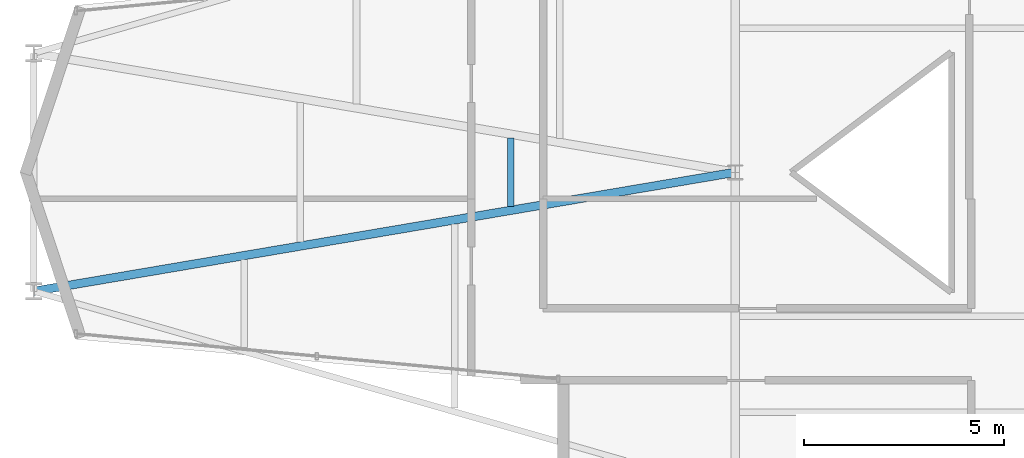
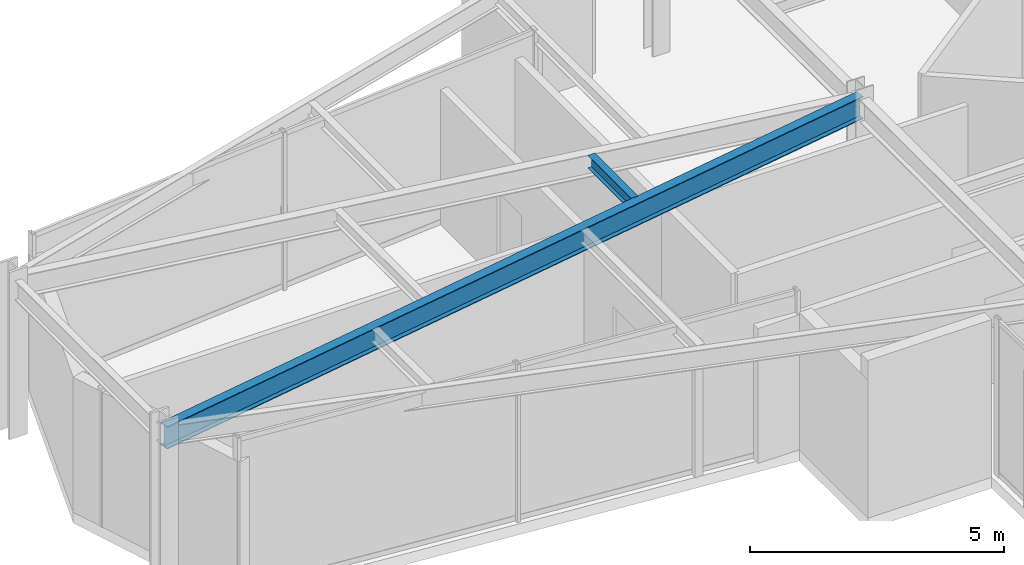
# One storey, part 5 of 22: 2 beams.
"""IFC4 building model written with IfcOpenShell, lengths in metres."""

import ifcopenshell
import ifcopenshell.guid

model = None  # the IFC model being written
_history = None  # IfcOwnerHistory: only IFC2X3 demands one
_inside = {}  # id of a spatial element -> (the spatial element, [elements in it])
_under = {}  # id of a project, library or spatial element -> (it, [spatial elements below it])
_declared = {}  # id of a project -> (the project, [libraries it declares])
_typed = {}  # id of a type object -> (the type object, [elements of that type])
_made_of = {}  # id of a material, layer set ... -> (it, [elements and type objects made of it])


def new_model(schema):
    """Start an empty IFC model of exactly this schema.

    Asked for "IFC4X3", IfcOpenShell would pick the latest addendum, in which some entities
    have other attributes; the version numbers below select the first issue.
    IFC2X3 requires an IfcOwnerHistory on every rooted entity: one is made here for all.
    """
    global model, _history
    if schema == "IFC4X3":
        model = ifcopenshell.file(schema_version=(4, 3, 0, 0))
    else:
        model = ifcopenshell.file(schema=schema)
    _inside.clear()
    _under.clear()
    _declared.clear()
    _typed.clear()
    _made_of.clear()
    _history = None
    if model.schema == "IFC2X3":
        org = make("IfcOrganization", Name="unknown")
        user = make(
            "IfcPersonAndOrganization",
            ThePerson=make("IfcPerson", FamilyName="unknown"),
            TheOrganization=org,
        )
        app = make(
            "IfcApplication",
            ApplicationDeveloper=org,
            Version="unknown",
            ApplicationFullName="unknown",
            ApplicationIdentifier="unknown",
        )
        _history = make(
            "IfcOwnerHistory",
            OwningUser=user,
            OwningApplication=app,
            ChangeAction="ADDED",
            CreationDate=0,
        )
    return model


def make(cls, **values):
    """One entity of the class cls with the attributes given. An attribute that is None is left unset."""
    return model.create_entity(
        cls, **{name: value for name, value in values.items() if value is not None}
    )


def rooted(cls, **values):
    """An entity with a GlobalId (a new one), such as an element, a storey or a relation."""
    return make(cls, GlobalId=ifcopenshell.guid.new(), OwnerHistory=_history, **values)


def si_unit(unit_type, name, prefix=None):
    """IfcSIUnit, for example si_unit("LENGTHUNIT", "METRE", prefix="MILLI")."""
    return make("IfcSIUnit", UnitType=unit_type, Prefix=prefix, Name=name)


def assignment(units):
    """IfcUnitAssignment: the units of a project."""
    return None if units is None else make("IfcUnitAssignment", Units=units)


def point(xyz):
    """IfcCartesianPoint."""
    return None if xyz is None else make("IfcCartesianPoint", Coordinates=xyz)


def direction(xyz):
    """IfcDirection."""
    return None if xyz is None else make("IfcDirection", DirectionRatios=xyz)


def frame(location, z_axis=None, x_axis=None):
    """IfcAxis2Placement3D, a coordinate frame: its origin and axes. An axis left out is left unset."""
    return make(
        "IfcAxis2Placement3D",
        Location=point(location),
        Axis=direction(z_axis),
        RefDirection=direction(x_axis),
    )


def frame_2d(location, x_axis=None):
    """IfcAxis2Placement2D, a coordinate frame in the plane: its origin and x axis."""
    return make(
        "IfcAxis2Placement2D", Location=point(location), RefDirection=direction(x_axis)
    )


def origin():
    """The frame at (0, 0, 0) with its axes left unset."""
    return frame((0.0, 0.0, 0.0))


def origin_2d():
    """The frame at (0, 0) in the plane with its x axis left unset."""
    return frame_2d((0.0, 0.0))


def place(relative_to, where):
    """IfcLocalPlacement: puts the frame where relative to a parent placement (None: the world)."""
    return make(
        "IfcLocalPlacement", PlacementRelTo=relative_to, RelativePlacement=where
    )


def context(
    kind, dimensions, precision=None, world=None, true_north=None, identifier=None
):
    """IfcGeometricRepresentationContext, for example the 3D "Model" context."""
    return make(
        "IfcGeometricRepresentationContext",
        ContextIdentifier=identifier,
        ContextType=kind,
        CoordinateSpaceDimension=dimensions,
        Precision=precision,
        WorldCoordinateSystem=world,
        TrueNorth=true_north,
    )


def subcontext(parent, identifier, kind, view, scale=None):
    """IfcGeometricRepresentationSubContext, for example "Body" below "Model"."""
    return make(
        "IfcGeometricRepresentationSubContext",
        ContextIdentifier=identifier,
        ContextType=kind,
        ParentContext=parent,
        TargetScale=scale,
        TargetView=view,
    )


def project(units=None, contexts=None):
    """IfcProject with its units and contexts."""
    return rooted(
        "IfcProject",
        Name="project",
        RepresentationContexts=contexts,
        UnitsInContext=assignment(units),
    )


def spatial(cls, under=None, at=None, **own):
    """A site, building, storey or space (cls), placed at a placement, below another one or the project."""
    s = rooted(cls, ObjectPlacement=at, **own)
    if under is not None:
        _under.setdefault(under.id(), (under, []))[1].append(s)
    return s


def profile(cls, at=None, kind="AREA", **sizes):
    """A parametric profile (cls). Its sizes go by their IFC names, for example OverallWidth=200.0."""
    return make(cls, ProfileType=kind, Position=at, **sizes)


def i_section(**sizes):
    """IfcIShapeProfileDef."""
    return profile("IfcIShapeProfileDef", **sizes)


def extrude(swept, where, along, depth):
    """IfcExtrudedAreaSolid: the profile swept, set in the frame where, extruded along a direction by depth."""
    return make(
        "IfcExtrudedAreaSolid",
        SweptArea=swept,
        Position=where,
        ExtrudedDirection=direction(along),
        Depth=depth,
    )


def shape(context_of_items, identifier, shape_type, items):
    """IfcShapeRepresentation: the items that make up one representation, for example the "Body"."""
    return make(
        "IfcShapeRepresentation",
        ContextOfItems=context_of_items,
        RepresentationIdentifier=identifier,
        RepresentationType=shape_type,
        Items=items,
    )


def material(Name=None, Category=None):
    """IfcMaterial."""
    return make("IfcMaterial", Name=Name, Category=Category)


def material_profile(
    of_material, cross_section, Name=None, Category=None, Priority=None
):
    """IfcMaterialProfile: a cross section and its material."""
    return make(
        "IfcMaterialProfile",
        Name=Name,
        Material=of_material,
        Profile=cross_section,
        Priority=Priority,
        Category=Category,
    )


def profile_set(profiles, Name=None, composite=None):
    """IfcMaterialProfileSet."""
    return make(
        "IfcMaterialProfileSet",
        Name=Name,
        MaterialProfiles=profiles,
        CompositeProfile=composite,
    )


def made_of(thing, what):
    """Note that an element or type object is made of a material, layer set ...; save() writes the relation."""
    if what is not None:
        _made_of.setdefault(what.id(), (what, []))[1].append(thing)
    return thing


def type_object(cls, material=None, **own):
    """A type object (cls), such as IfcWallType, which elements share."""
    return made_of(rooted(cls, **own), material)


def element(
    cls,
    number,
    at=None,
    inside=None,
    cuts=None,
    type_object=None,
    material=None,
    context=None,
    identifier="Body",
    shape_type=None,
    held_by="IfcProductDefinitionShape",
    body=None,
    shapes=None,
    **own,
):
    """One element of the class cls, such as IfcWall. Its Tag is "e" and its number.

    at: its placement. inside: the storey or other place that contains it. cuts: it is an
    opening in that element (IfcRelVoidsElement). A single representation is given by context,
    identifier, shape_type and body (its items); several are given by shapes. held_by: the class
    of the entity that holds the representations. save() writes the other relations.
    """
    e = rooted(cls, Tag="e%d" % number, ObjectPlacement=at, **own)
    if body is not None:
        shapes = [shape(context, identifier, shape_type, body)]
    if shapes is not None:
        e.Representation = make(held_by, Representations=shapes)
    if inside is not None:
        _inside.setdefault(inside.id(), (inside, []))[1].append(e)
    if cuts is not None:
        rooted(
            "IfcRelVoidsElement", RelatingBuildingElement=cuts, RelatedOpeningElement=e
        )
    if type_object is not None:
        _typed.setdefault(type_object.id(), (type_object, []))[1].append(e)
    return made_of(e, material)


def aggregate(whole, parts):
    """IfcRelAggregates: a whole, such as a stair, and the parts it consists of."""
    return rooted("IfcRelAggregates", RelatingObject=whole, RelatedObjects=parts)


def save(model, path):
    """Write the relations noted so far, then the file.

    IfcRelAggregates (storeys below a building ...), IfcRelContainedInSpatialStructure (elements
    in a storey), IfcRelDefinesByType, IfcRelAssociatesMaterial and IfcRelDeclares: one each for
    every whole, place, type object, material and project.
    """
    for whole, parts in _under.values():
        aggregate(whole, parts)
    for where, things in _inside.values():
        rooted(
            "IfcRelContainedInSpatialStructure",
            RelatedElements=things,
            RelatingStructure=where,
        )
    for kind, things in _typed.values():
        rooted("IfcRelDefinesByType", RelatedObjects=things, RelatingType=kind)
    for what, things in _made_of.values():
        rooted("IfcRelAssociatesMaterial", RelatedObjects=things, RelatingMaterial=what)
    for by, libraries in _declared.values():
        rooted("IfcRelDeclares", RelatingContext=by, RelatedDefinitions=libraries)
    model.write(path)


model = new_model("IFC4")

# Units and contexts
model_context = context("Model", 3, precision=1e-05, world=origin(), true_north=direction((0.0, 1.0)))
body_context = subcontext(model_context, "Body", "Model", "MODEL_VIEW")
ifc_project = project(units=[si_unit("LENGTHUNIT", "METRE"), si_unit("AREAUNIT", "SQUARE_METRE"), si_unit("VOLUMEUNIT", "CUBIC_METRE"), si_unit("PLANEANGLEUNIT", "RADIAN"), si_unit("MASSUNIT", "GRAM", prefix="KILO")], contexts=[model_context])

# Site, building, storey
site_placement = place(None, origin())
site = spatial("IfcSite", under=ifc_project, at=site_placement, CompositionType="ELEMENT")
building_placement = place(site_placement, origin())
building = spatial("IfcBuilding", under=site, at=building_placement, Name="Veymaron Broadcast Tower", CompositionType="ELEMENT")
storey_placement = place(building_placement, frame((0.0, 0.0, 216.14990234375)))
storey = spatial("IfcBuildingStorey", under=building, at=storey_placement, Name="L50", CompositionType="ELEMENT", Elevation=216.14990234375)

# Beams
ifc_material = material(Name="Structural steel ASTM A992 Gr 50", Category="steel")
ifc_material_profile_1 = material_profile(ifc_material, i_section(OverallWidth=0.2099609375, OverallDepth=0.537109375, WebThickness=0.010986328125, FlangeThickness=0.017333984375, at=origin_2d()), Name="W530X101")
ifc_profile_set_1 = profile_set([ifc_material_profile_1], Name="Structural steel ASTM A992 Gr 50")
beam_type_1 = type_object("IfcBeamType", Name="BM-FG3", PredefinedType="BEAM", material=ifc_profile_set_1)
beam_1_placement = place(storey_placement, frame((13.6650390625, 21.02490234375, 3.521484375), z_axis=(0.985910023747, 0.167276492897, 0.0), x_axis=(-0.167276492897, 0.985910023747, 0.0)))
element("IfcBeam", 1, at=beam_1_placement, inside=storey, type_object=beam_type_1, Name="L50 primary structural floor girder", PredefinedType="BEAM", context=body_context, shape_type="SweptSolid", body=[
    extrude(i_section(OverallWidth=0.2099609375, OverallDepth=0.537109375, WebThickness=0.010986328125, FlangeThickness=0.017333984375, at=origin_2d()), origin(), (0.0, 0.0, 1.0), 17.785400390625),
])
ifc_material_profile_2 = material_profile(ifc_material, i_section(OverallWidth=0.1650390625, OverallDepth=0.31005859375, WebThickness=0.005859375, FlangeThickness=0.009765625, at=origin_2d()), Name="W310X39")
ifc_profile_set_2 = profile_set([ifc_material_profile_2], Name="Structural steel ASTM A992 Gr 50")
beam_type_2 = type_object("IfcBeamType", Name="BM-JS3", PredefinedType="JOIST", material=ifc_profile_set_2)
beam_2_placement = place(storey_placement, frame((25.5888671875, 23.14794921875, 3.635009765625), z_axis=(0.0, 1.0, 0.0), x_axis=(-1.0, 0.0, 0.0)))
element("IfcBeam", 2, at=beam_2_placement, inside=storey, type_object=beam_type_2, Name="L50 Arm-A secondary joist 2M", PredefinedType="JOIST", context=body_context, shape_type="SweptSolid", body=[
    extrude(i_section(OverallWidth=0.1650390625, OverallDepth=0.31005859375, WebThickness=0.005859375, FlangeThickness=0.009765625, at=origin_2d()), origin(), (0.0, 0.0, 1.0), 1.7041015625),
])

save(model, "model.ifc")
